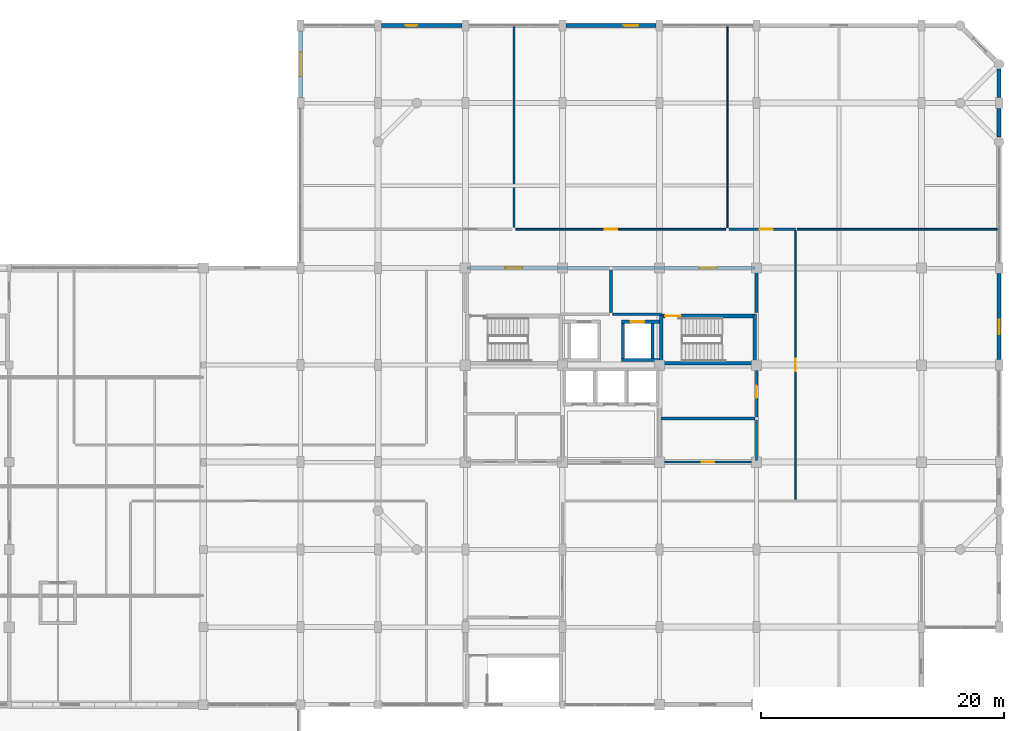
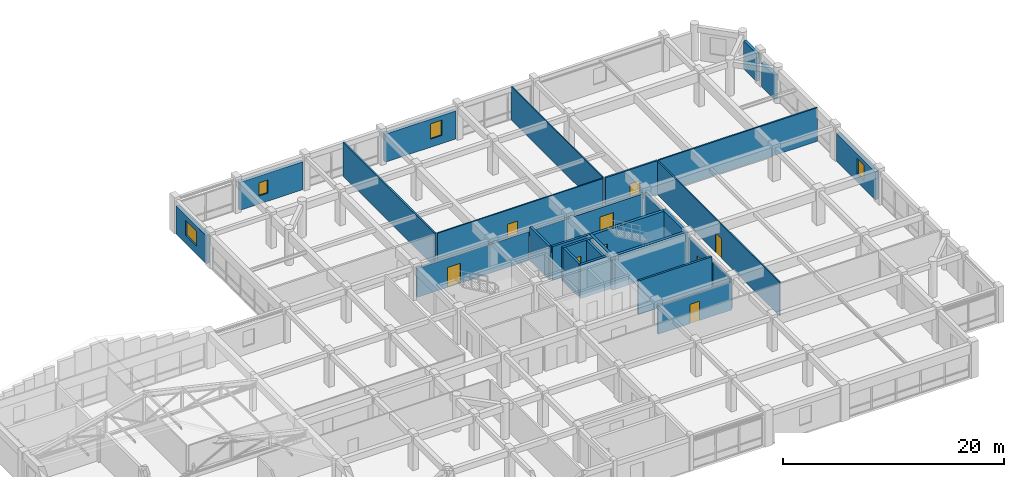
# One storey, part 23 of 27: 29 walls, 9 doors, 4 windows, 13 openings.
"""IFC4 building model written with IfcOpenShell, lengths in metres."""

from ifc_helpers import new_model, si_unit, direction, frame, frame_2d, origin, place, context, subcontext, project, spatial, rectangle, extrude, material, layer, layer_set, type_object, element, fill, save


model = new_model("IFC4")

# Units and contexts
model_context = context("Model", 3, precision=1e-05, world=origin(), true_north=direction((0.0, 1.0)))
body_context = subcontext(model_context, "Body", "Model", "MODEL_VIEW")
ifc_project = project(units=[si_unit("LENGTHUNIT", "METRE"), si_unit("AREAUNIT", "SQUARE_METRE"), si_unit("VOLUMEUNIT", "CUBIC_METRE"), si_unit("PLANEANGLEUNIT", "RADIAN"), si_unit("MASSUNIT", "GRAM", prefix="KILO")], contexts=[model_context])

# Site, building, storey
site_placement = place(None, origin())
site = spatial("IfcSite", under=ifc_project, at=site_placement, CompositionType="ELEMENT")
building_placement = place(site_placement, origin())
building = spatial("IfcBuilding", under=site, at=building_placement, Name="Vellmiral Cinema and Media Centre", CompositionType="ELEMENT")
storey_placement = place(building_placement, frame((0.0, 0.0, 19.800048828125)))
storey = spatial("IfcBuildingStorey", under=building, at=storey_placement, Name="L04", CompositionType="ELEMENT", Elevation=19.800048828125)

# Wall
ifc_material_1 = material(Name="Concrete C40/50", Category="concrete")
ifc_layer_1 = layer(ifc_material_1, 0.2099609375, Name="Concrete C40/50")
ifc_layer_set_1 = layer_set([ifc_layer_1], Name="Concrete C40/50")
wall_type_1 = type_object("IfcWallType", Name="WL-COMP-210", PredefinedType="SOLIDWALL", material=ifc_layer_set_1)
wall_1_placement = place(storey_placement, frame((140.139892578125, 82.800048828125, 0.0), z_axis=(0.0, 0.0, 1.0), x_axis=(1.0, 0.0, 0.0)))
element("IfcWall", 1, at=wall_1_placement, inside=storey, type_object=wall_type_1, Name="Data Patch and Riser Room Wall S", PredefinedType="SOLIDWALL", context=body_context, shape_type="SweptSolid", body=[
    extrude(rectangle(XDim=7.72021484375, YDim=0.2099609375, at=frame_2d((3.860107421875, 0.0))), origin(), (0.0, 0.0, 1.0), 3.719970703125),
])

# Wall, opening, door
wall_2_placement = place(storey_placement, frame((148.0, 82.93994140625, 0.0), z_axis=(0.0, 0.0, 1.0), x_axis=(0.0, 1.0, 0.0)))
wall_2 = element("IfcWall", 2, at=wall_2_placement, inside=storey, type_object=wall_type_1, Name="Data Patch and Riser Room Wall E", PredefinedType="SOLIDWALL", context=body_context, shape_type="SweptSolid", body=[
    extrude(rectangle(XDim=4.1201171875, YDim=0.2099609375, at=frame_2d((2.06005859375, 0.0))), origin(), (0.0, 0.0, 1.0), 3.195068359375),
])
opening_1_placement = place(wall_2_placement, frame((1.56005859375, 0.0, 0.0)))
opening_1 = element("IfcOpeningElement", 3, at=opening_1_placement, cuts=wall_2, Name="Opening D-FD30B", PredefinedType="OPENING", context=body_context, shape_type="SweptSolid", body=[
    extrude(rectangle(XDim=1.0, YDim=2.14990234375, at=frame_2d((0.5, 1.074951171875))), frame((0.0, 0.116943359375, 0.0), z_axis=(0.0, -1.0, 0.0), x_axis=(1.0, 0.0, 0.0)), (0.0, 0.0, 1.0), 0.23388671875),
])
ifc_material_2 = material(Name="Steel Riser Fire Door", Category="steel")
door_type_1 = type_object("IfcDoorType", Name="DR-FD30-1000x2150", OperationType="NOTDEFINED", PredefinedType="DOOR", material=ifc_material_2)
door_1_placement = place(opening_1_placement, origin())
door_1 = element("IfcDoor", 4, at=door_1_placement, inside=storey, type_object=door_type_1, Name="Data Patch and Riser Room Door", OperationType="SINGLE_SWING_LEFT", OverallHeight=2.14990234375, OverallWidth=1.0, PredefinedType="DOOR", context=body_context, shape_type="SweptSolid", body=[
    extrude(rectangle(XDim=1.0, YDim=2.14990234375, at=frame_2d((0.5, 1.074951171875))), frame((0.0, 0.02490234375, 0.0), z_axis=(0.0, -1.0, 0.0), x_axis=(1.0, 0.0, 0.0)), (0.0, 0.0, 1.0), 0.050048828125),
])
fill(opening_1, door_1)

# Walls
ifc_material_3 = material(Name="Concrete C40/50", Category="concrete")
ifc_layer_2 = layer(ifc_material_3, 0.300048828125, Name="Concrete C40/50")
ifc_layer_set_2 = layer_set([ifc_layer_2], Name="Concrete C40/50")
wall_type_2 = type_object("IfcWallType", Name="WL-CORE-300", PredefinedType="SHEAR", material=ifc_layer_set_2)
for number, where, z_axis, x_axis, name in (
    (5, (140.14990234375, 87.199951171875, 0.0), (0.0, 0.0, 1.0), (0.0, 1.0, 0.0), "Stair Core Wall ST-T2 L04-W"),
    (6, (147.85009765625, 87.199951171875, 0.0), (0.0, 0.0, 1.0), (0.0, 1.0, 0.0), "Stair Core Wall ST-T2 L04-E"),
):
    element("IfcWall", number, at=place(storey_placement, frame(where, z_axis=z_axis, x_axis=x_axis)), inside=storey, type_object=wall_type_2, Name=name, PredefinedType="SHEAR", context=body_context, shape_type="SweptSolid", body=[
        extrude(rectangle(XDim=4.199951171875, YDim=0.300048828125, at=frame_2d((2.10009765625, 0.0))), origin(), (0.0, 0.0, 1.0), 3.719970703125),
    ])
wall_3_placement = place(storey_placement, frame((140.300048828125, 87.35009765625, 0.0), z_axis=(0.0, 0.0, 1.0), x_axis=(1.0, 0.0, 0.0)))
element("IfcWall", 7, at=wall_3_placement, inside=storey, type_object=wall_type_2, Name="Stair Core Wall ST-T2 L04-S", PredefinedType="SHEAR", context=body_context, shape_type="SweptSolid", body=[
    extrude(rectangle(XDim=7.39990234375, YDim=0.300048828125, at=frame_2d((3.699951171875, 0.0))), origin(), (0.0, 0.0, 1.0), 3.719970703125),
])

# Wall, opening, door
wall_4_placement = place(storey_placement, frame((140.300048828125, 91.25, 0.0), z_axis=(0.0, 0.0, 1.0), x_axis=(1.0, 0.0, 0.0)))
wall_4 = element("IfcWall", 8, at=wall_4_placement, inside=storey, type_object=wall_type_2, Name="Stair Core Wall ST-T2 L04-N", PredefinedType="SHEAR", context=body_context, shape_type="SweptSolid", body=[
    extrude(rectangle(XDim=7.39990234375, YDim=0.300048828125, at=frame_2d((3.699951171875, 0.0))), origin(), (0.0, 0.0, 1.0), 3.719970703125),
])
opening_2_placement = place(wall_4_placement, frame((0.159912109375, 0.0, 0.0)))
opening_2 = element("IfcOpeningElement", 9, at=opening_2_placement, cuts=wall_4, Name="Opening D-FD30A", PredefinedType="OPENING", context=body_context, shape_type="SweptSolid", body=[
    extrude(rectangle(XDim=1.300048828125, YDim=2.179931640625, at=frame_2d((0.64990234375, 1.08984375))), frame((0.0, 0.162109375, 0.0), z_axis=(0.0, -1.0, 0.0), x_axis=(1.0, 0.0, 0.0)), (0.0, 0.0, 1.0), 0.323974609375),
])
ifc_material_4 = material(Name="Steel Stair Fire Door", Category="steel")
door_type_2 = type_object("IfcDoorType", Name="DR-FD30-1300x2180", OperationType="NOTDEFINED", PredefinedType="DOOR", material=ifc_material_4)
door_2_placement = place(opening_2_placement, frame((1.300048828125, 0.0, 0.0), z_axis=(0.0, 0.0, 1.0), x_axis=(-1.0, 0.0, 0.0)))
door_2 = element("IfcDoor", 10, at=door_2_placement, inside=storey, type_object=door_type_2, Name="Protected Stair Door ST-T2 L04", OperationType="SINGLE_SWING_RIGHT", OverallHeight=2.179931640625, OverallWidth=1.300048828125, PredefinedType="DOOR", context=body_context, shape_type="SweptSolid", body=[
    extrude(rectangle(XDim=1.300048828125, YDim=2.179931640625, at=frame_2d((0.64990234375, 1.08984375))), frame((0.0, 0.02490234375, 0.0), z_axis=(0.0, -1.0, 0.0), x_axis=(1.0, 0.0, 0.0)), (0.0, 0.0, 1.0), 0.050048828125),
])
fill(opening_2, door_2)

# Wall
ifc_material_5 = material(Name="Polychrome Glazed Ceramic Cladding", Category="masonry")
ifc_layer_3 = layer(ifc_material_5, 0.320068359375, Name="Polychrome Glazed Ceramic Cladding")
ifc_layer_set_3 = layer_set([ifc_layer_3], Name="Polychrome Glazed Ceramic Cladding")
wall_type_3 = type_object("IfcWallType", Name="WL-EXT-BRICK-320", PredefinedType="SOLIDWALL", material=ifc_layer_set_3)
wall_5_placement = place(storey_placement, frame((168.0, 109.25, 0.0), z_axis=(0.0, 0.0, 1.0), x_axis=(0.0, 1.0, 0.0)))
element("IfcWall", 11, at=wall_5_placement, inside=storey, type_object=wall_type_3, Name="Exterior Facade Wall L04-019", PredefinedType="SOLIDWALL", context=body_context, shape_type="SweptSolid", body=[
    extrude(rectangle(XDim=2.35009765625, YDim=0.320068359375, at=frame_2d((1.175048828125, 0.0))), origin(), (0.0, 0.0, 1.0), 3.099853515625),
])

# Wall, opening, window
ifc_material_6 = material(Name="Vosges Red Sandstone Masonry", Category="masonry")
ifc_layer_4 = layer(ifc_material_6, 0.340087890625, Name="Vosges Red Sandstone Masonry")
ifc_layer_set_4 = layer_set([ifc_layer_4], Name="Vosges Red Sandstone Masonry")
wall_type_4 = type_object("IfcWallType", Name="WL-EXT-SAND-340", PredefinedType="SOLIDWALL", material=ifc_layer_set_4)
wall_6_placement = place(storey_placement, frame((168.0, 87.64990234375, 0.0), z_axis=(0.0, 0.0, 1.0), x_axis=(0.0, 1.0, 0.0)))
wall_6 = element("IfcWall", 12, at=wall_6_placement, inside=storey, type_object=wall_type_4, Name="Exterior Facade Wall L04-016", PredefinedType="SOLIDWALL", context=body_context, shape_type="SweptSolid", body=[
    extrude(rectangle(XDim=7.10009765625, YDim=0.340087890625, at=frame_2d((3.550048828125, 0.0))), origin(), (0.0, 0.0, 1.0), 3.099853515625),
])
opening_3_placement = place(wall_6_placement, frame((2.10009765625, 0.0, 0.89990234375)))
opening_3 = element("IfcOpeningElement", 13, at=opening_3_placement, cuts=wall_6, Name="Opening WN-10", PredefinedType="OPENING", context=body_context, shape_type="SweptSolid", body=[
    extrude(rectangle(XDim=1.199951171875, YDim=1.699951171875, at=frame_2d((0.60009765625, 0.85009765625))), frame((0.0, 0.18212890625, 0.0), z_axis=(0.0, -1.0, 0.0), x_axis=(1.0, 0.0, 0.0)), (0.0, 0.0, 1.0), 0.364013671875),
])
ifc_material_7 = material(Name="Thermally Broken Aluminium Triple Glazing", Category="aluminium")
window_type_1 = type_object("IfcWindowType", Name="WN-1200x1700", PartitioningType="SINGLE_PANEL", PredefinedType="WINDOW", material=ifc_material_7)
window_1_placement = place(opening_3_placement, origin())
window_1 = element("IfcWindow", 14, at=window_1_placement, inside=storey, type_object=window_type_1, Name="Window L04-016", OverallHeight=1.699951171875, OverallWidth=1.199951171875, PartitioningType="SINGLE_PANEL", PredefinedType="WINDOW", context=body_context, shape_type="SweptSolid", body=[
    extrude(rectangle(XDim=1.199951171875, YDim=1.699951171875, at=frame_2d((0.60009765625, 0.85009765625))), frame((0.0, 0.030029296875, 0.0), z_axis=(0.0, -1.0, 0.0), x_axis=(1.0, 0.0, 0.0)), (0.0, 0.0, 1.0), 0.06005859375),
])
fill(opening_3, window_1)

# Wall
wall_7_placement = place(storey_placement, frame((168.0, 106.0, 0.0), z_axis=(0.0, 0.0, 1.0), x_axis=(0.0, 1.0, 0.0)))
element("IfcWall", 15, at=wall_7_placement, inside=storey, type_object=wall_type_4, Name="Exterior Facade Wall L04-018", PredefinedType="SOLIDWALL", context=body_context, shape_type="SweptSolid", body=[
    extrude(rectangle(XDim=2.35009765625, YDim=0.340087890625, at=frame_2d((1.175048828125, 0.0))), origin(), (0.0, 0.0, 1.0), 2.68505859375),
])

# Wall, opening, window
wall_8_placement = place(storey_placement, frame((139.699951171875, 115.199951171875, 0.0), z_axis=(0.0, 0.0, 1.0), x_axis=(-1.0, 0.0, 0.0)))
wall_8 = element("IfcWall", 16, at=wall_8_placement, inside=storey, type_object=wall_type_4, Name="Exterior Facade Wall L04-024", PredefinedType="SOLIDWALL", context=body_context, shape_type="SweptSolid", body=[
    extrude(rectangle(XDim=7.39990234375, YDim=0.340087890625, at=frame_2d((3.699951171875, 0.0))), origin(), (0.0, 0.0, 1.0), 3.099853515625),
])
opening_4_placement = place(wall_8_placement, frame((1.449951171875, 0.0, 0.89990234375)))
opening_4 = element("IfcOpeningElement", 17, at=opening_4_placement, cuts=wall_8, Name="Opening WN-10", PredefinedType="OPENING", context=body_context, shape_type="SweptSolid", body=[
    extrude(rectangle(XDim=1.199951171875, YDim=1.699951171875, at=frame_2d((0.60009765625, 0.85009765625))), frame((0.0, 0.18212890625, 0.0), z_axis=(0.0, -1.0, 0.0), x_axis=(1.0, 0.0, 0.0)), (0.0, 0.0, 1.0), 0.364013671875),
])
window_2_placement = place(opening_4_placement, origin())
window_2 = element("IfcWindow", 18, at=window_2_placement, inside=storey, type_object=window_type_1, Name="Window L04-024", OverallHeight=1.699951171875, OverallWidth=1.199951171875, PartitioningType="SINGLE_PANEL", PredefinedType="WINDOW", context=body_context, shape_type="SweptSolid", body=[
    extrude(rectangle(XDim=1.199951171875, YDim=1.699951171875, at=frame_2d((0.60009765625, 0.85009765625))), frame((0.0, 0.030029296875, 0.0), z_axis=(0.0, -1.0, 0.0), x_axis=(1.0, 0.0, 0.0)), (0.0, 0.0, 1.0), 0.06005859375),
])
fill(opening_4, window_2)

wall_9_placement = place(storey_placement, frame((123.699951171875, 115.199951171875, 0.0), z_axis=(0.0, 0.0, 1.0), x_axis=(-1.0, 0.0, 0.0)))
wall_9 = element("IfcWall", 19, at=wall_9_placement, inside=storey, type_object=wall_type_4, Name="Exterior Facade Wall L04-026", PredefinedType="SOLIDWALL", context=body_context, shape_type="SweptSolid", body=[
    extrude(rectangle(XDim=6.599853515625, YDim=0.340087890625, at=frame_2d((3.2998046875, 0.0))), origin(), (0.0, 0.0, 1.0), 3.0849609375),
])
opening_5_placement = place(wall_9_placement, frame((3.675048828125, 0.0, 0.89990234375)))
opening_5 = element("IfcOpeningElement", 20, at=opening_5_placement, cuts=wall_9, Name="Opening WN-12", PredefinedType="OPENING", context=body_context, shape_type="SweptSolid", body=[
    extrude(rectangle(XDim=0.949951171875, YDim=1.449951171875, at=frame_2d((0.47509765625, 0.72509765625))), frame((0.0, 0.18212890625, 0.0), z_axis=(0.0, -1.0, 0.0), x_axis=(1.0, 0.0, 0.0)), (0.0, 0.0, 1.0), 0.364013671875),
])
ifc_material_8 = material(Name="Thermally Broken Aluminium Triple Glazing", Category="aluminium")
window_type_2 = type_object("IfcWindowType", Name="WN-0950x1450", PartitioningType="SINGLE_PANEL", PredefinedType="WINDOW", material=ifc_material_8)
window_3_placement = place(opening_5_placement, origin())
window_3 = element("IfcWindow", 21, at=window_3_placement, inside=storey, type_object=window_type_2, Name="Window L04-026", OverallHeight=1.449951171875, OverallWidth=0.949951171875, PartitioningType="SINGLE_PANEL", PredefinedType="WINDOW", context=body_context, shape_type="SweptSolid", body=[
    extrude(rectangle(XDim=0.949951171875, YDim=1.449951171875, at=frame_2d((0.47509765625, 0.72509765625))), frame((0.0, 0.030029296875, 0.0), z_axis=(0.0, -1.0, 0.0), x_axis=(1.0, 0.0, 0.0)), (0.0, 0.0, 1.0), 0.06005859375),
])
fill(opening_5, window_3)

wall_10_placement = place(storey_placement, frame((110.39990234375, 114.75, 0.0), z_axis=(0.0, 0.0, 1.0), x_axis=(0.0, -1.0, 0.0)))
wall_10 = element("IfcWall", 22, at=wall_10_placement, inside=storey, type_object=wall_type_4, Name="Exterior Facade Wall L04-028", PredefinedType="SOLIDWALL", context=body_context, shape_type="SweptSolid", body=[
    extrude(rectangle(XDim=5.5, YDim=0.340087890625, at=frame_2d((2.75, 0.0))), origin(), (0.0, 0.0, 1.0), 3.099853515625),
])
opening_6_placement = place(wall_10_placement, frame((1.75, 0.0, 0.89990234375)))
opening_6 = element("IfcOpeningElement", 23, at=opening_6_placement, cuts=wall_10, Name="Opening WN-14", PredefinedType="OPENING", context=body_context, shape_type="SweptSolid", body=[
    extrude(rectangle(XDim=2.0, YDim=1.64990234375, at=frame_2d((1.0, 0.824951171875))), frame((0.0, 0.18212890625, 0.0), z_axis=(0.0, -1.0, 0.0), x_axis=(1.0, 0.0, 0.0)), (0.0, 0.0, 1.0), 0.364013671875),
])
ifc_material_9 = material(Name="Thermally Broken Aluminium Triple Glazing", Category="aluminium")
window_type_3 = type_object("IfcWindowType", Name="WN-2000x1650", PartitioningType="DOUBLE_PANEL_HORIZONTAL", PredefinedType="WINDOW", material=ifc_material_9)
window_4_placement = place(opening_6_placement, origin())
window_4 = element("IfcWindow", 24, at=window_4_placement, inside=storey, type_object=window_type_3, Name="Window L04-028", OverallHeight=1.64990234375, OverallWidth=2.0, PartitioningType="DOUBLE_PANEL_HORIZONTAL", PredefinedType="WINDOW", context=body_context, shape_type="SweptSolid", body=[
    extrude(rectangle(XDim=2.0, YDim=1.64990234375, at=frame_2d((1.0, 0.824951171875))), frame((0.0, 0.030029296875, 0.0), z_axis=(0.0, -1.0, 0.0), x_axis=(1.0, 0.0, 0.0)), (0.0, 0.0, 1.0), 0.06005859375),
])
fill(opening_6, window_4)

# Wall, opening, door
ifc_material_10 = material(Name="Concrete C40/50", Category="concrete")
ifc_layer_5 = layer(ifc_material_10, 0.22998046875, Name="Concrete C40/50")
ifc_layer_set_5 = layer_set([ifc_layer_5], Name="Concrete C40/50")
wall_type_5 = type_object("IfcWallType", Name="WL-FFL-230", PredefinedType="SOLIDWALL", material=ifc_layer_set_5)
wall_11_placement = place(storey_placement, frame((124.139892578125, 95.199951171875, 0.0), z_axis=(0.0, 0.0, 1.0), x_axis=(1.0, 0.0, 0.0)))
wall_11 = element("IfcWall", 25, at=wall_11_placement, inside=storey, type_object=wall_type_5, Name="Firefighting Lobby West Wall N", PredefinedType="SOLIDWALL", context=body_context, shape_type="SweptSolid", body=[
    extrude(rectangle(XDim=11.72021484375, YDim=0.22998046875, at=frame_2d((5.860107421875, 0.0))), origin(), (0.0, 0.0, 1.0), 3.195068359375),
])
opening_7_placement = place(wall_11_placement, frame((3.159912109375, 0.0, 0.0)))
opening_7 = element("IfcOpeningElement", 26, at=opening_7_placement, cuts=wall_11, Name="Opening D-FD60B", PredefinedType="OPENING", context=body_context, shape_type="SweptSolid", body=[
    extrude(rectangle(XDim=1.39990234375, YDim=2.199951171875, at=frame_2d((0.699951171875, 1.10009765625))), frame((0.0, 0.126953125, 0.0), z_axis=(0.0, -1.0, 0.0), x_axis=(1.0, 0.0, 0.0)), (0.0, 0.0, 1.0), 0.25390625),
])
ifc_material_11 = material(Name="Steel Fire Door", Category="steel")
door_type_3 = type_object("IfcDoorType", Name="DR-FD60-1400x2200", OperationType="NOTDEFINED", PredefinedType="DOOR", material=ifc_material_11)
door_3_placement = place(opening_7_placement, frame((1.39990234375, 0.0, 0.0), z_axis=(0.0, 0.0, 1.0), x_axis=(-1.0, 0.0, 0.0)))
door_3 = element("IfcDoor", 27, at=door_3_placement, inside=storey, type_object=door_type_3, Name="Firefighting Lobby West Door", OperationType="SINGLE_SWING_RIGHT", OverallHeight=2.199951171875, OverallWidth=1.39990234375, PredefinedType="DOOR", context=body_context, shape_type="SweptSolid", body=[
    extrude(rectangle(XDim=1.39990234375, YDim=2.199951171875, at=frame_2d((0.699951171875, 1.10009765625))), frame((0.0, 0.02490234375, 0.0), z_axis=(0.0, -1.0, 0.0), x_axis=(1.0, 0.0, 0.0)), (0.0, 0.0, 1.0), 0.050048828125),
])
fill(opening_7, door_3)

# Walls
wall_12_placement = place(storey_placement, frame((136.0, 91.5400390625, 0.0), z_axis=(0.0, 0.0, 1.0), x_axis=(0.0, 1.0, 0.0)))
element("IfcWall", 28, at=wall_12_placement, inside=storey, type_object=wall_type_5, Name="Firefighting Lobby West Wall E", PredefinedType="SOLIDWALL", context=body_context, shape_type="SweptSolid", body=[
    extrude(rectangle(XDim=3.52001953125, YDim=0.22998046875, at=frame_2d((1.760009765625, 0.0))), origin(), (0.0, 0.0, 1.0), 3.719970703125),
])
wall_13_placement = place(storey_placement, frame((136.139892578125, 91.39990234375, 0.0), z_axis=(0.0, 0.0, 1.0), x_axis=(1.0, 0.0, 0.0)))
element("IfcWall", 29, at=wall_13_placement, inside=storey, type_object=wall_type_5, Name="Firefighting Lobby East Wall S", PredefinedType="SOLIDWALL", context=body_context, shape_type="SweptSolid", body=[
    extrude(rectangle(XDim=4.02001953125, YDim=0.22998046875, at=frame_2d((2.010009765625, 0.0))), origin(), (0.0, 0.0, 1.0), 3.719970703125),
])

# Wall, opening, door
wall_14_placement = place(storey_placement, frame((136.139892578125, 95.199951171875, 0.0), z_axis=(0.0, 0.0, 1.0), x_axis=(1.0, 0.0, 0.0)))
wall_14 = element("IfcWall", 30, at=wall_14_placement, inside=storey, type_object=wall_type_5, Name="Firefighting Lobby East Wall N", PredefinedType="SOLIDWALL", context=body_context, shape_type="SweptSolid", body=[
    extrude(rectangle(XDim=11.72021484375, YDim=0.22998046875, at=frame_2d((5.860107421875, 0.0))), origin(), (0.0, 0.0, 1.0), 3.195068359375),
])
opening_8_placement = place(wall_14_placement, frame((7.159912109375, 0.0, 0.0)))
opening_8 = element("IfcOpeningElement", 31, at=opening_8_placement, cuts=wall_14, Name="Opening D-FD60B", PredefinedType="OPENING", context=body_context, shape_type="SweptSolid", body=[
    extrude(rectangle(XDim=1.39990234375, YDim=2.199951171875, at=frame_2d((0.699951171875, 1.10009765625))), frame((0.0, 0.126953125, 0.0), z_axis=(0.0, -1.0, 0.0), x_axis=(1.0, 0.0, 0.0)), (0.0, 0.0, 1.0), 0.25390625),
])
door_4_placement = place(opening_8_placement, frame((1.39990234375, 0.0, 0.0), z_axis=(0.0, 0.0, 1.0), x_axis=(-1.0, 0.0, 0.0)))
door_4 = element("IfcDoor", 32, at=door_4_placement, inside=storey, type_object=door_type_3, Name="Firefighting Lobby East Door", OperationType="SINGLE_SWING_LEFT", OverallHeight=2.199951171875, OverallWidth=1.39990234375, PredefinedType="DOOR", context=body_context, shape_type="SweptSolid", body=[
    extrude(rectangle(XDim=1.39990234375, YDim=2.199951171875, at=frame_2d((0.699951171875, 1.10009765625))), frame((0.0, 0.02490234375, 0.0), z_axis=(0.0, -1.0, 0.0), x_axis=(1.0, 0.0, 0.0)), (0.0, 0.0, 1.0), 0.050048828125),
])
fill(opening_8, door_4)

# Walls
wall_15_placement = place(storey_placement, frame((148.0, 91.5400390625, 0.0), z_axis=(0.0, 0.0, 1.0), x_axis=(0.0, 1.0, 0.0)))
element("IfcWall", 33, at=wall_15_placement, inside=storey, type_object=wall_type_5, Name="Firefighting Lobby East Wall E", PredefinedType="SOLIDWALL", context=body_context, shape_type="SweptSolid", body=[
    extrude(rectangle(XDim=3.52001953125, YDim=0.22998046875, at=frame_2d((1.760009765625, 0.0))), origin(), (0.0, 0.0, 1.0), 3.244873046875),
])
ifc_material_12 = material(Name="Gypsum Plasterboard")
ifc_layer_6 = layer(ifc_material_12, 0.02490234375, Name="Gypsum Plasterboard", Category="gypsum")
ifc_material_13 = material(Name="Mineral Wool Acoustic Insulation", Category="insulation")
ifc_layer_7 = layer(ifc_material_13, 0.06005859375, Name="Mineral Wool Acoustic Insulation", Category="insulation")
ifc_layer_8 = layer(ifc_material_12, 0.02490234375, Name="Gypsum Plasterboard", Category="gypsum")
ifc_layer_set_6 = layer_set([ifc_layer_6, ifc_layer_7, ifc_layer_8], Name="Gypsum Plasterboard")
wall_type_6 = type_object("IfcWallType", Name="WL-PART-110", PredefinedType="PARTITIONING", material=ifc_layer_set_6)
wall_16_placement = place(storey_placement, frame((145.60009765625, 98.5400390625, 0.0), z_axis=(0.0, 0.0, 1.0), x_axis=(0.0, 1.0, 0.0)))
element("IfcWall", 34, at=wall_16_placement, inside=storey, type_object=wall_type_6, Name="North News Desk Suite 1 Wall E", PredefinedType="PARTITIONING", context=body_context, shape_type="SweptSolid", body=[
    extrude(rectangle(XDim=16.56494140625, YDim=0.110107421875, at=frame_2d((8.282470703125, 0.0))), origin(), (0.0, 0.0, 1.0), 3.719970703125),
])

# Wall, opening, door
ifc_material_14 = material(Name="Gypsum Plasterboard")
ifc_layer_9 = layer(ifc_material_14, 0.02490234375, Name="Gypsum Plasterboard", Category="gypsum")
ifc_material_15 = material(Name="Mineral Wool Acoustic Insulation", Category="insulation")
ifc_layer_10 = layer(ifc_material_15, 0.080078125, Name="Mineral Wool Acoustic Insulation", Category="insulation")
ifc_layer_11 = layer(ifc_material_14, 0.02490234375, Name="Gypsum Plasterboard", Category="gypsum")
ifc_layer_set_7 = layer_set([ifc_layer_9, ifc_layer_10, ifc_layer_11], Name="Gypsum Plasterboard")
wall_type_7 = type_object("IfcWallType", Name="WL-PART-130", PredefinedType="PARTITIONING", material=ifc_layer_set_7)
wall_17_placement = place(storey_placement, frame((151.199951171875, 76.139892578125, 0.0), z_axis=(0.0, 0.0, 1.0), x_axis=(0.0, 1.0, 0.0)))
wall_17 = element("IfcWall", 35, at=wall_17_placement, inside=storey, type_object=wall_type_7, Name="East Media Editorial Office Wall W", PredefinedType="PARTITIONING", context=body_context, shape_type="SweptSolid", body=[
    extrude(rectangle(XDim=22.1201171875, YDim=0.1298828125, at=frame_2d((11.06005859375, 0.0))), origin(), (0.0, 0.0, 1.0), 3.719970703125),
])
opening_9_placement = place(wall_17_placement, frame((10.534912109375, 0.0, 0.0)))
opening_9 = element("IfcOpeningElement", 36, at=opening_9_placement, cuts=wall_17, Name="Opening D-I07", PredefinedType="OPENING", context=body_context, shape_type="SweptSolid", body=[
    extrude(rectangle(XDim=1.050048828125, YDim=2.14990234375, at=frame_2d((0.52490234375, 1.074951171875))), frame((0.0, 0.076904296875, 0.0), z_axis=(0.0, -1.0, 0.0), x_axis=(1.0, 0.0, 0.0)), (0.0, 0.0, 1.0), 0.15380859375),
])
ifc_material_16 = material(Name="Laminated Timber Door", Category="wood")
door_type_4 = type_object("IfcDoorType", Name="DR-INT-1050x2150", OperationType="NOTDEFINED", PredefinedType="DOOR", material=ifc_material_16)
door_5_placement = place(opening_9_placement, frame((1.050048828125, 0.0, 0.0), z_axis=(0.0, 0.0, 1.0), x_axis=(-1.0, 0.0, 0.0)))
door_5 = element("IfcDoor", 37, at=door_5_placement, inside=storey, type_object=door_type_4, Name="East Media Editorial Office Door", OperationType="SINGLE_SWING_LEFT", OverallHeight=2.14990234375, OverallWidth=1.050048828125, PredefinedType="DOOR", context=body_context, shape_type="SweptSolid", body=[
    extrude(rectangle(XDim=1.050048828125, YDim=2.14990234375, at=frame_2d((0.52490234375, 1.074951171875))), frame((0.0, 0.02490234375, 0.0), z_axis=(0.0, -1.0, 0.0), x_axis=(1.0, 0.0, 0.0)), (0.0, 0.0, 1.0), 0.050048828125),
])
fill(opening_9, door_5)

wall_18_placement = place(storey_placement, frame((128.139892578125, 98.39990234375, 0.0), z_axis=(0.0, 0.0, 1.0), x_axis=(1.0, 0.0, 0.0)))
wall_18 = element("IfcWall", 38, at=wall_18_placement, inside=storey, type_object=wall_type_7, Name="North News Desk Suite 1 Wall S", PredefinedType="PARTITIONING", context=body_context, shape_type="SweptSolid", body=[
    extrude(rectangle(XDim=17.320068359375, YDim=0.1298828125, at=frame_2d((8.66015625, 0.0))), origin(), (0.0, 0.0, 1.0), 3.719970703125),
])
opening_10_placement = place(wall_18_placement, frame((7.3349609375, 0.0, 0.0)))
opening_10 = element("IfcOpeningElement", 39, at=opening_10_placement, cuts=wall_18, Name="Opening D-I07", PredefinedType="OPENING", context=body_context, shape_type="SweptSolid", body=[
    extrude(rectangle(XDim=1.050048828125, YDim=2.14990234375, at=frame_2d((0.52490234375, 1.074951171875))), frame((0.0, 0.076904296875, 0.0), z_axis=(0.0, -1.0, 0.0), x_axis=(1.0, 0.0, 0.0)), (0.0, 0.0, 1.0), 0.15380859375),
])
door_6_placement = place(opening_10_placement, origin())
door_6 = element("IfcDoor", 40, at=door_6_placement, inside=storey, type_object=door_type_4, Name="North News Desk Suite 1 Door", OperationType="SINGLE_SWING_LEFT", OverallHeight=2.14990234375, OverallWidth=1.050048828125, PredefinedType="DOOR", context=body_context, shape_type="SweptSolid", body=[
    extrude(rectangle(XDim=1.050048828125, YDim=2.14990234375, at=frame_2d((0.52490234375, 1.074951171875))), frame((0.0, 0.02490234375, 0.0), z_axis=(0.0, -1.0, 0.0), x_axis=(1.0, 0.0, 0.0)), (0.0, 0.0, 1.0), 0.050048828125),
])
fill(opening_10, door_6)

# Walls
ifc_material_17 = material(Name="Gypsum Plasterboard")
ifc_layer_12 = layer(ifc_material_17, 0.02490234375, Name="Gypsum Plasterboard", Category="gypsum")
ifc_material_18 = material(Name="Mineral Wool Acoustic Insulation", Category="insulation")
ifc_layer_13 = layer(ifc_material_18, 0.10009765625, Name="Mineral Wool Acoustic Insulation", Category="insulation")
ifc_layer_14 = layer(ifc_material_17, 0.02490234375, Name="Gypsum Plasterboard", Category="gypsum")
ifc_layer_set_8 = layer_set([ifc_layer_12, ifc_layer_13, ifc_layer_14], Name="Gypsum Plasterboard")
wall_type_8 = type_object("IfcWallType", Name="WL-PART-150", PredefinedType="PARTITIONING", material=ifc_layer_set_8)
wall_19_placement = place(storey_placement, frame((148.0, 79.340087890625, 0.0), z_axis=(0.0, 0.0, 1.0), x_axis=(0.0, 1.0, 0.0)))
element("IfcWall", 41, at=wall_19_placement, inside=storey, type_object=wall_type_8, Name="Print and Archive Copy Room Wall E", PredefinedType="PARTITIONING", context=body_context, shape_type="SweptSolid", body=[
    extrude(rectangle(XDim=3.31982421875, YDim=0.14990234375, at=frame_2d((1.659912109375, 0.0))), origin(), (0.0, 0.0, 1.0), 3.195068359375),
])
wall_20_placement = place(storey_placement, frame((151.340087890625, 98.39990234375, 0.0), z_axis=(0.0, 0.0, 1.0), x_axis=(1.0, 0.0, 0.0)))
element("IfcWall", 42, at=wall_20_placement, inside=storey, type_object=wall_type_8, Name="East Media Editorial Office Wall N", PredefinedType="PARTITIONING", context=body_context, shape_type="SweptSolid", body=[
    extrude(rectangle(XDim=16.56494140625, YDim=0.14990234375, at=frame_2d((8.282470703125, 0.0))), origin(), (0.0, 0.0, 1.0), 3.719970703125),
])

# Wall, opening, door
ifc_material_19 = material(Name="Gypsum Plasterboard")
ifc_layer_15 = layer(ifc_material_19, 0.02490234375, Name="Gypsum Plasterboard", Category="gypsum")
ifc_material_20 = material(Name="Mineral Wool Acoustic Insulation", Category="insulation")
ifc_layer_16 = layer(ifc_material_20, 0.1201171875, Name="Mineral Wool Acoustic Insulation", Category="insulation")
ifc_layer_17 = layer(ifc_material_19, 0.02490234375, Name="Gypsum Plasterboard", Category="gypsum")
ifc_layer_set_9 = layer_set([ifc_layer_15, ifc_layer_16, ifc_layer_17], Name="Gypsum Plasterboard")
wall_type_9 = type_object("IfcWallType", Name="WL-PART-170", PredefinedType="PARTITIONING", material=ifc_layer_set_9)
wall_21_placement = place(storey_placement, frame((140.139892578125, 79.199951171875, 0.0), z_axis=(0.0, 0.0, 1.0), x_axis=(1.0, 0.0, 0.0)))
wall_21 = element("IfcWall", 43, at=wall_21_placement, inside=storey, type_object=wall_type_9, Name="Print and Archive Copy Room Wall S", PredefinedType="PARTITIONING", context=body_context, shape_type="SweptSolid", body=[
    extrude(rectangle(XDim=7.72021484375, YDim=0.169921875, at=frame_2d((3.860107421875, 0.0))), origin(), (0.0, 0.0, 1.0), 3.094970703125),
])
opening_11_placement = place(wall_21_placement, frame((3.360107421875, 0.0, 0.0)))
opening_11 = element("IfcOpeningElement", 44, at=opening_11_placement, cuts=wall_21, Name="Opening D-I08", PredefinedType="OPENING", context=body_context, shape_type="SweptSolid", body=[
    extrude(rectangle(XDim=1.0, YDim=2.14990234375, at=frame_2d((0.5, 1.074951171875))), frame((0.0, 0.096923828125, 0.0), z_axis=(0.0, -1.0, 0.0), x_axis=(1.0, 0.0, 0.0)), (0.0, 0.0, 1.0), 0.19384765625),
])
ifc_material_21 = material(Name="Laminated Timber Door", Category="wood")
door_type_5 = type_object("IfcDoorType", Name="DR-INT-1000x2150", OperationType="NOTDEFINED", PredefinedType="DOOR", material=ifc_material_21)
door_7_placement = place(opening_11_placement, origin())
door_7 = element("IfcDoor", 45, at=door_7_placement, inside=storey, type_object=door_type_5, Name="Print and Archive Copy Room Door", OperationType="SINGLE_SWING_RIGHT", OverallHeight=2.14990234375, OverallWidth=1.0, PredefinedType="DOOR", context=body_context, shape_type="SweptSolid", body=[
    extrude(rectangle(XDim=1.0, YDim=2.14990234375, at=frame_2d((0.5, 1.074951171875))), frame((0.0, 0.02490234375, 0.0), z_axis=(0.0, -1.0, 0.0), x_axis=(1.0, 0.0, 0.0)), (0.0, 0.0, 1.0), 0.050048828125),
])
fill(opening_11, door_7)

# Wall
wall_22_placement = place(storey_placement, frame((128.0, 98.5400390625, 0.0), z_axis=(0.0, 0.0, 1.0), x_axis=(0.0, 1.0, 0.0)))
element("IfcWall", 46, at=wall_22_placement, inside=storey, type_object=wall_type_9, Name="North-West Editorial Office Wall E", PredefinedType="PARTITIONING", context=body_context, shape_type="SweptSolid", body=[
    extrude(rectangle(XDim=16.56494140625, YDim=0.169921875, at=frame_2d((8.282470703125, 0.0))), origin(), (0.0, 0.0, 1.0), 3.719970703125),
])

# Wall, opening, door
wall_23_placement = place(storey_placement, frame((145.739990234375, 98.39990234375, 0.0), z_axis=(0.0, 0.0, 1.0), x_axis=(1.0, 0.0, 0.0)))
wall_23 = element("IfcWall", 47, at=wall_23_placement, inside=storey, type_object=wall_type_9, Name="North-East Assignment Meeting Room Wall S", PredefinedType="PARTITIONING", context=body_context, shape_type="SweptSolid", body=[
    extrude(rectangle(XDim=5.4599609375, YDim=0.169921875, at=frame_2d((2.72998046875, 0.0))), origin(), (0.0, 0.0, 1.0), 3.719970703125),
])
opening_12_placement = place(wall_23_placement, frame((2.534912109375, 0.0, 0.0)))
opening_12 = element("IfcOpeningElement", 48, at=opening_12_placement, cuts=wall_23, Name="Opening D-I07", PredefinedType="OPENING", context=body_context, shape_type="SweptSolid", body=[
    extrude(rectangle(XDim=1.050048828125, YDim=2.14990234375, at=frame_2d((0.52490234375, 1.074951171875))), frame((0.0, 0.096923828125, 0.0), z_axis=(0.0, -1.0, 0.0), x_axis=(1.0, 0.0, 0.0)), (0.0, 0.0, 1.0), 0.19384765625),
])
door_8_placement = place(opening_12_placement, origin())
door_8 = element("IfcDoor", 49, at=door_8_placement, inside=storey, type_object=door_type_4, Name="North-East Assignment Meeting Room Door", OperationType="SINGLE_SWING_RIGHT", OverallHeight=2.14990234375, OverallWidth=1.050048828125, PredefinedType="DOOR", context=body_context, shape_type="SweptSolid", body=[
    extrude(rectangle(XDim=1.050048828125, YDim=2.14990234375, at=frame_2d((0.52490234375, 1.074951171875))), frame((0.0, 0.02490234375, 0.0), z_axis=(0.0, -1.0, 0.0), x_axis=(1.0, 0.0, 0.0)), (0.0, 0.0, 1.0), 0.050048828125),
])
fill(opening_12, door_8)

# Wall
ifc_material_22 = material(Name="Concrete C40/50", Category="concrete")
ifc_layer_18 = layer(ifc_material_22, 0.25, Name="Concrete C40/50")
ifc_layer_set_10 = layer_set([ifc_layer_18], Name="Concrete C40/50")
wall_type_10 = type_object("IfcWallType", Name="WL-SHAFT-250", PredefinedType="SHEAR", material=ifc_layer_set_10)
wall_24_placement = place(storey_placement, frame((136.85009765625, 87.625, 0.0), z_axis=(0.0, 0.0, 1.0), x_axis=(1.0, 0.0, 0.0)))
element("IfcWall", 50, at=wall_24_placement, inside=storey, type_object=wall_type_10, Name="Lift Shaft Wall LF-FF2 L04-S", PredefinedType="SHEAR", context=body_context, shape_type="SweptSolid", body=[
    extrude(rectangle(XDim=3.14990234375, YDim=0.25, at=frame_2d((1.574951171875, 0.0))), origin(), (0.0, 0.0, 1.0), 3.719970703125),
])

# Wall, opening, door
wall_25_placement = place(storey_placement, frame((136.85009765625, 90.77490234375, 0.0), z_axis=(0.0, 0.0, 1.0), x_axis=(1.0, 0.0, 0.0)))
wall_25 = element("IfcWall", 51, at=wall_25_placement, inside=storey, type_object=wall_type_10, Name="Lift Shaft Wall LF-FF2 L04-N", PredefinedType="SHEAR", context=body_context, shape_type="SweptSolid", body=[
    extrude(rectangle(XDim=3.14990234375, YDim=0.25, at=frame_2d((1.574951171875, 0.0))), origin(), (0.0, 0.0, 1.0), 3.719970703125),
])
opening_13_placement = place(wall_25_placement, frame((0.800048828125, 0.0, 0.0)))
opening_13 = element("IfcOpeningElement", 52, at=opening_13_placement, cuts=wall_25, Name="Opening LD-01", PredefinedType="OPENING", context=body_context, shape_type="SweptSolid", body=[
    extrude(rectangle(XDim=1.10009765625, YDim=2.14990234375, at=frame_2d((0.550048828125, 1.074951171875))), frame((0.0, 0.136962890625, 0.0), z_axis=(0.0, -1.0, 0.0), x_axis=(1.0, 0.0, 0.0)), (0.0, 0.0, 1.0), 0.27392578125),
])
ifc_material_23 = material(Name="Stainless Steel Lift Landing Door", Category="steel")
door_type_6 = type_object("IfcDoorType", Name="DR-LIFT-1100x2150", OperationType="SLIDING_TO_LEFT", PredefinedType="DOOR", material=ifc_material_23)
door_9_placement = place(opening_13_placement, origin())
door_9 = element("IfcDoor", 53, at=door_9_placement, inside=storey, type_object=door_type_6, Name="Lift Landing Door LF-FF2 L04", OperationType="SLIDING_TO_LEFT", OverallHeight=2.14990234375, OverallWidth=1.10009765625, PredefinedType="DOOR", context=body_context, shape_type="SweptSolid", body=[
    extrude(rectangle(XDim=1.10009765625, YDim=2.14990234375, at=frame_2d((0.550048828125, 1.074951171875))), frame((0.0, 0.02490234375, 0.0), z_axis=(0.0, -1.0, 0.0), x_axis=(1.0, 0.0, 0.0)), (0.0, 0.0, 1.0), 0.050048828125),
])
fill(opening_13, door_9)

# Walls
for number, where, z_axis, x_axis, name in (
    (54, (136.97509765625, 87.75, 0.0), (0.0, 0.0, 1.0), (0.0, 1.0, 0.0), "Lift Shaft Wall LF-FF2 L04-W"),
    (55, (139.425048828125, 87.75, 0.0), (0.0, 0.0, 1.0), (0.0, 1.0, 0.0), "Lift Shaft Wall LF-FF2 L04-E"),
):
    element("IfcWall", number, at=place(storey_placement, frame(where, z_axis=z_axis, x_axis=x_axis)), inside=storey, type_object=wall_type_10, Name=name, PredefinedType="SHEAR", context=body_context, shape_type="SweptSolid", body=[
        extrude(rectangle(XDim=2.89990234375, YDim=0.25, at=frame_2d((1.449951171875, 0.0))), origin(), (0.0, 0.0, 1.0), 3.719970703125),
    ])

save(model, "model.ifc")
